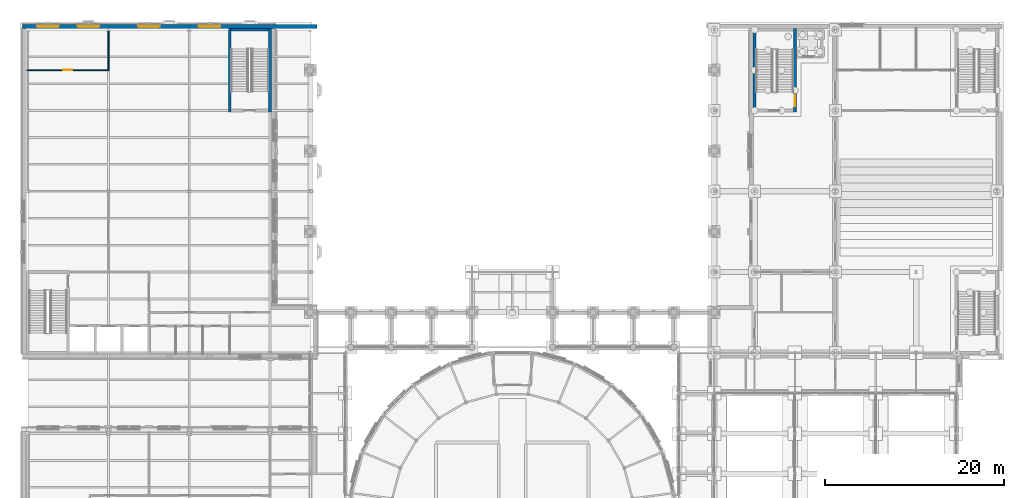
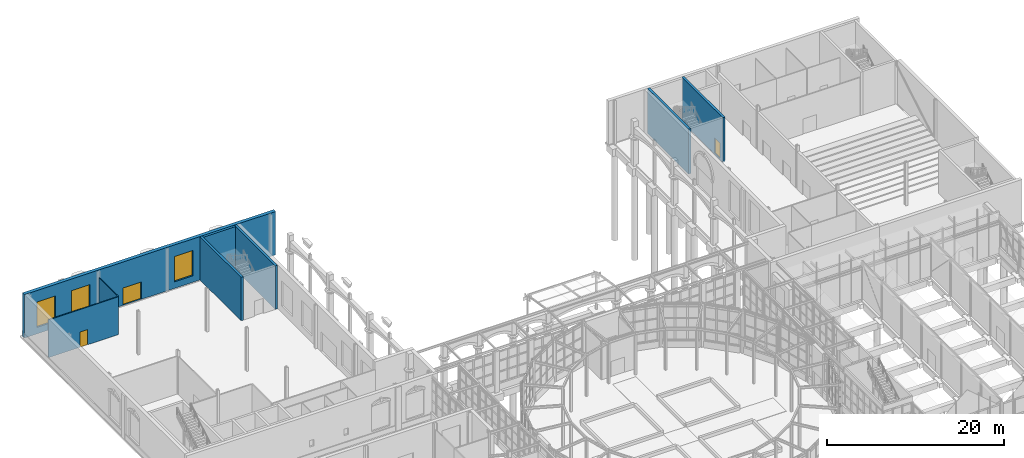
# One storey, part 75 of 106: 8 walls, 3 doors, 3 windows, 6 openings.
"""IFC4 building model written with IfcOpenShell, lengths in metres."""

from ifc_helpers import new_model, si_unit, direction, frame, frame_2d, origin, place, context, subcontext, project, spatial, rectangle, extrude, material, layer, layer_set, type_object, element, fill, save


model = new_model("IFC4")

# Units and contexts
model_context = context("Model", 3, precision=1e-05, world=origin(), true_north=direction((0.0, 1.0)))
body_context = subcontext(model_context, "Body", "Model", "MODEL_VIEW")
ifc_project = project(units=[si_unit("LENGTHUNIT", "METRE"), si_unit("AREAUNIT", "SQUARE_METRE"), si_unit("VOLUMEUNIT", "CUBIC_METRE"), si_unit("PLANEANGLEUNIT", "RADIAN"), si_unit("MASSUNIT", "GRAM", prefix="KILO")], contexts=[model_context])

# Site, building, storey
site_placement = place(None, origin())
site = spatial("IfcSite", under=ifc_project, at=site_placement, CompositionType="ELEMENT")
building_placement = place(site_placement, origin())
building = spatial("IfcBuilding", under=site, at=building_placement, Name="Hortulan Conservatory and Botanical Research Centre", CompositionType="ELEMENT")
storey_placement = place(building_placement, origin())
storey = spatial("IfcBuildingStorey", under=building, at=storey_placement, Name="L00", CompositionType="ELEMENT", Elevation=0.0)

# Wall
ifc_material_1 = material(Name="Concrete N40 (40 MPa, AS 3600)", Category="concrete")
ifc_layer_1 = layer(ifc_material_1, 0.300048828125)
ifc_layer_set_1 = layer_set([ifc_layer_1], Name="Core Wall 300 N40 FRL 120/120/120")
wall_type_1 = type_object("IfcWallType", Name="Core Wall 300 N40 FRL 120/120/120", PredefinedType="SHEAR", material=ifc_layer_set_1)
wall_1_placement = place(storey_placement, frame((81.0, 62.85009765625, -0.199951171875), z_axis=(0.0, 0.0, 1.0), x_axis=(0.0, 1.0, 0.0)))
element("IfcWall", 1, at=wall_1_placement, inside=storey, type_object=wall_type_1, Name="Reinforced concrete shaft wall", PredefinedType="SHEAR", context=body_context, shape_type="SweptSolid", body=[
    extrude(rectangle(XDim=9.2998046875, YDim=0.300048828125, at=frame_2d((4.64990234375, 0.0))), origin(), (0.0, 0.0, 1.0), 6.199951171875),
])

# Wall, opening, door
wall_2_placement = place(storey_placement, frame((85.5, 62.85009765625, -0.199951171875), z_axis=(0.0, 0.0, 1.0), x_axis=(0.0, 1.0, 0.0)))
wall_2 = element("IfcWall", 2, at=wall_2_placement, inside=storey, type_object=wall_type_1, Name="Reinforced concrete shaft wall", PredefinedType="SHEAR", context=body_context, shape_type="SweptSolid", body=[
    extrude(rectangle(XDim=9.2998046875, YDim=0.300048828125, at=frame_2d((4.64990234375, 0.0))), origin(), (0.0, 0.0, 1.0), 6.199951171875),
])
opening_1_placement = place(wall_2_placement, frame((0.64990234375, 0.0, 0.199951171875)))
opening_1 = element("IfcOpeningElement", 3, at=opening_1_placement, cuts=wall_2, Name="Opening DT5", PredefinedType="OPENING", context=body_context, shape_type="SweptSolid", body=[
    extrude(rectangle(XDim=1.199951171875, YDim=2.10009765625, at=frame_2d((0.60009765625, 1.050048828125))), frame((0.0, 0.159912109375, 0.0), z_axis=(0.0, -1.0, 0.0), x_axis=(1.0, 0.0, 0.0)), (0.0, 0.0, 1.0), 0.320068359375),
])
ifc_material_2 = material(Name="Steel door leaf, insulated", Category="steel")
door_type_1 = type_object("IfcDoorType", Name="Stair Door 1200x2100 FRL -/120/30", OperationType="NOTDEFINED", PredefinedType="DOOR", material=ifc_material_2)
door_1_placement = place(opening_1_placement, origin())
door_1 = element("IfcDoor", 4, at=door_1_placement, inside=storey, type_object=door_type_1, Name="Stair door A1 L00 E to Foyer Stair Lobby", OperationType="SINGLE_SWING_LEFT", OverallHeight=2.10009765625, OverallWidth=1.199951171875, PredefinedType="DOOR", context=body_context, shape_type="SweptSolid", body=[
    extrude(rectangle(XDim=1.199951171875, YDim=2.10009765625, at=frame_2d((0.60009765625, 1.050048828125))), frame((0.0, 0.02490234375, 0.0), z_axis=(0.0, -1.0, 0.0), x_axis=(1.0, 0.0, 0.0)), (0.0, 0.0, 1.0), 0.050048828125),
])
fill(opening_1, door_1)

# Walls
ifc_layer_2 = layer(ifc_material_1, 0.300048828125)
ifc_layer_set_2 = layer_set([ifc_layer_2], Name="Core Wall 300 N40 FRL 180/120/120")
wall_type_2 = type_object("IfcWallType", Name="Core Wall 300 N40 FRL 180/120/120", PredefinedType="SHEAR", material=ifc_layer_set_2)
for number, where, z_axis, x_axis, name in (
    (5, (22.5, 62.85009765625, 0.0), (0.0, 0.0, 1.0), (0.0, 1.0, 0.0), "Reinforced concrete shaft wall"),
    (6, (27.0, 62.85009765625, 0.0), (0.0, 0.0, 1.0), (0.0, 1.0, 0.0), "Reinforced concrete shaft wall"),
):
    element("IfcWall", number, at=place(storey_placement, frame(where, z_axis=z_axis, x_axis=x_axis)), inside=storey, type_object=wall_type_2, Name=name, PredefinedType="SHEAR", context=body_context, shape_type="SweptSolid", body=[
        extrude(rectangle(XDim=9.2998046875, YDim=0.300048828125, at=frame_2d((4.64990234375, 0.0))), origin(), (0.0, 0.0, 1.0), 6.0),
    ])
wall_3_placement = place(storey_placement, frame((22.64990234375, 72.0, 0.0), z_axis=(0.0, 0.0, 1.0), x_axis=(1.0, 0.0, 0.0)))
element("IfcWall", 7, at=wall_3_placement, inside=storey, type_object=wall_type_2, Name="Reinforced concrete shaft wall", PredefinedType="SHEAR", context=body_context, shape_type="SweptSolid", body=[
    extrude(rectangle(XDim=4.2001953125, YDim=0.300048828125, at=frame_2d((2.10009765625, 0.0))), origin(), (0.0, 0.0, 1.0), 6.0),
])
ifc_material_3 = material(Name="Plasterboard on steel studs", Category="steel")
ifc_layer_3 = layer(ifc_material_3, 0.125)
ifc_layer_set_3 = layer_set([ifc_layer_3], Name="Partition 125")
wall_type_3 = type_object("IfcWallType", Name="Partition 125", PredefinedType="PARTITIONING", material=ifc_layer_set_3)
wall_4_placement = place(storey_placement, frame((9.0, 67.572509765625, 0.0), z_axis=(0.0, 0.0, 1.0), x_axis=(0.0, 1.0, 0.0)))
element("IfcWall", 8, at=wall_4_placement, inside=storey, type_object=wall_type_3, Name="Partition Cafe Kitchen and Servery and Visitor Centre Entrance Hall and Information L00", PredefinedType="PARTITIONING", context=body_context, shape_type="SweptSolid", body=[
    extrude(rectangle(XDim=4.257080078125, YDim=0.125, at=frame_2d((2.12841796875, 0.0))), origin(), (0.0, 0.0, 1.0), 5.218017578125),
])

# Wall, opening, door
wall_5_placement = place(storey_placement, frame((-0.14453125, 67.5, 0.0), z_axis=(0.0, 0.0, 1.0), x_axis=(1.0, 0.0, 0.0)))
wall_5 = element("IfcWall", 9, at=wall_5_placement, inside=storey, type_object=wall_type_3, Name="Partition Visitor Cafe and Cafe Kitchen and Servery L00", PredefinedType="PARTITIONING", context=body_context, shape_type="SweptSolid", body=[
    extrude(rectangle(XDim=9.14453125, YDim=0.125, at=frame_2d((4.572265625, 0.0))), origin(), (0.0, 0.0, 1.0), 5.218017578125),
])
opening_2_placement = place(wall_5_placement, frame((4.082275390625, 0.0, 0.0)))
opening_2 = element("IfcOpeningElement", 10, at=opening_2_placement, cuts=wall_5, Name="Opening DT1", PredefinedType="OPENING", context=body_context, shape_type="SweptSolid", body=[
    extrude(rectangle(XDim=1.0, YDim=2.10009765625, at=frame_2d((0.5, 1.050048828125))), frame((0.0, 0.072509765625, 0.0), z_axis=(0.0, -1.0, 0.0), x_axis=(1.0, 0.0, 0.0)), (0.0, 0.0, 1.0), 0.14501953125),
])
ifc_material_4 = material(Name="Timber door leaf in timber frame", Category="wood")
door_type_2 = type_object("IfcDoorType", Name="Single Door 1000x2100", OperationType="NOTDEFINED", PredefinedType="DOOR", material=ifc_material_4)
door_2_placement = place(opening_2_placement, origin())
door_2 = element("IfcDoor", 11, at=door_2_placement, inside=storey, type_object=door_type_2, Name="Door DT1 Cafe Kitchen and Servery to Visitor Cafe", OperationType="SINGLE_SWING_LEFT", OverallHeight=2.10009765625, OverallWidth=1.0, PredefinedType="DOOR", context=body_context, shape_type="SweptSolid", body=[
    extrude(rectangle(XDim=1.0, YDim=2.10009765625, at=frame_2d((0.5, 1.050048828125))), frame((0.0, 0.02490234375, 0.0), z_axis=(0.0, -1.0, 0.0), x_axis=(1.0, 0.0, 0.0)), (0.0, 0.0, 1.0), 0.050048828125),
])
fill(opening_2, door_2)

# Wall, openings, door, windows
ifc_material_5 = material(Name="Sandstone masonry (Hawkesbury yellow block)", Category="masonry")
ifc_layer_4 = layer(ifc_material_5, 0.449951171875)
ifc_layer_set_4 = layer_set([ifc_layer_4], Name="Sandstone Masonry Cavity Wall 450")
wall_type_4 = type_object("IfcWallType", Name="Sandstone Masonry Cavity Wall 450", PredefinedType="STANDARD", material=ifc_layer_set_4)
wall_6_placement = place(storey_placement, frame((-0.6044921875, 72.385498046875, 0.0), z_axis=(0.0, 0.0, 1.0), x_axis=(1.0, 0.0, 0.0)))
wall_6 = element("IfcWall", 12, at=wall_6_placement, inside=storey, type_object=wall_type_4, Name="E-EW-VC-L00-N3", PredefinedType="STANDARD", context=body_context, shape_type="SweptSolid", body=[
    extrude(rectangle(XDim=32.8544921875, YDim=0.449951171875, at=frame_2d((16.42724609375, 0.0))), origin(), (0.0, 0.0, 1.0), 6.0),
])
opening_3_placement = place(wall_6_placement, frame((12.904541015625, 0.0, 0.011962890625)))
opening_3 = element("IfcOpeningElement", 13, at=opening_3_placement, cuts=wall_6, Name="Opening ED3", PredefinedType="OPENING", context=body_context, shape_type="SweptSolid", body=[
    extrude(rectangle(XDim=2.39990234375, YDim=2.39990234375, at=frame_2d((1.199951171875, 1.199951171875))), frame((0.0, 0.23486328125, 0.0), z_axis=(0.0, -1.0, 0.0), x_axis=(1.0, 0.0, 0.0)), (0.0, 0.0, 1.0), 0.469970703125),
])
opening_4_placement = place(wall_6_placement, frame((1.654541015625, 0.0, 0.89990234375)))
opening_4 = element("IfcOpeningElement", 14, at=opening_4_placement, cuts=wall_6, Name="Opening W1", PredefinedType="OPENING", context=body_context, shape_type="SweptSolid", body=[
    extrude(rectangle(XDim=2.39990234375, YDim=3.5, at=frame_2d((1.199951171875, 1.75))), frame((0.0, 0.23486328125, 0.0), z_axis=(0.0, -1.0, 0.0), x_axis=(1.0, 0.0, 0.0)), (0.0, 0.0, 1.0), 0.469970703125),
])
opening_5_placement = place(wall_6_placement, frame((6.154541015625, 0.0, 0.89990234375)))
opening_5 = element("IfcOpeningElement", 15, at=opening_5_placement, cuts=wall_6, Name="Opening W1", PredefinedType="OPENING", context=body_context, shape_type="SweptSolid", body=[
    extrude(rectangle(XDim=2.39990234375, YDim=3.5, at=frame_2d((1.199951171875, 1.75))), frame((0.0, 0.23486328125, 0.0), z_axis=(0.0, -1.0, 0.0), x_axis=(1.0, 0.0, 0.0)), (0.0, 0.0, 1.0), 0.469970703125),
])
opening_6_placement = place(wall_6_placement, frame((19.654541015625, 0.0, 0.89990234375)))
opening_6 = element("IfcOpeningElement", 16, at=opening_6_placement, cuts=wall_6, Name="Opening W1", PredefinedType="OPENING", context=body_context, shape_type="SweptSolid", body=[
    extrude(rectangle(XDim=2.39990234375, YDim=3.5, at=frame_2d((1.199951171875, 1.75))), frame((0.0, 0.23486328125, 0.0), z_axis=(0.0, -1.0, 0.0), x_axis=(1.0, 0.0, 0.0)), (0.0, 0.0, 1.0), 0.469970703125),
])
ifc_material_6 = material(Name="Bronze and toughened laminated glass", Category="glass")
door_type_3 = type_object("IfcDoorType", Name="Glazed Door Pair 2400x2400", OperationType="DOUBLE_DOOR_DOUBLE_SWING", PredefinedType="DOOR", material=ifc_material_6)
door_3_placement = place(opening_3_placement, origin())
door_3 = element("IfcDoor", 17, at=door_3_placement, inside=storey, type_object=door_type_3, Name="Entrance door", OperationType="DOUBLE_DOOR_DOUBLE_SWING", OverallHeight=2.39990234375, OverallWidth=2.39990234375, PredefinedType="DOOR", context=body_context, shape_type="SweptSolid", body=[
    extrude(rectangle(XDim=2.39990234375, YDim=2.39990234375, at=frame_2d((1.199951171875, 1.199951171875))), frame((0.0, 0.02490234375, 0.0), z_axis=(0.0, -1.0, 0.0), x_axis=(1.0, 0.0, 0.0)), (0.0, 0.0, 1.0), 0.050048828125),
])
fill(opening_3, door_3)
ifc_material_7 = material(Name="Bronze-finished aluminium frame with low-e laminated double glazing", Category="aluminium")
window_type = type_object("IfcWindowType", Name="Sandstone Window 2400x3500", PartitioningType="SINGLE_PANEL", PredefinedType="WINDOW", material=ifc_material_7)
window_1_placement = place(opening_4_placement, origin())
window_1 = element("IfcWindow", 18, at=window_1_placement, inside=storey, type_object=window_type, Name="Sandstone window", OverallHeight=3.5, OverallWidth=2.39990234375, PartitioningType="SINGLE_PANEL", PredefinedType="WINDOW", context=body_context, shape_type="SweptSolid", body=[
    extrude(rectangle(XDim=2.39990234375, YDim=3.5, at=frame_2d((1.199951171875, 1.75))), frame((0.0, 0.030029296875, 0.0), z_axis=(0.0, -1.0, 0.0), x_axis=(1.0, 0.0, 0.0)), (0.0, 0.0, 1.0), 0.06005859375),
])
fill(opening_4, window_1)
window_2_placement = place(opening_5_placement, origin())
window_2 = element("IfcWindow", 19, at=window_2_placement, inside=storey, type_object=window_type, Name="Sandstone window", OverallHeight=3.5, OverallWidth=2.39990234375, PartitioningType="SINGLE_PANEL", PredefinedType="WINDOW", context=body_context, shape_type="SweptSolid", body=[
    extrude(rectangle(XDim=2.39990234375, YDim=3.5, at=frame_2d((1.199951171875, 1.75))), frame((0.0, 0.030029296875, 0.0), z_axis=(0.0, -1.0, 0.0), x_axis=(1.0, 0.0, 0.0)), (0.0, 0.0, 1.0), 0.06005859375),
])
fill(opening_5, window_2)
window_3_placement = place(opening_6_placement, origin())
window_3 = element("IfcWindow", 20, at=window_3_placement, inside=storey, type_object=window_type, Name="Sandstone window", OverallHeight=3.5, OverallWidth=2.39990234375, PartitioningType="SINGLE_PANEL", PredefinedType="WINDOW", context=body_context, shape_type="SweptSolid", body=[
    extrude(rectangle(XDim=2.39990234375, YDim=3.5, at=frame_2d((1.199951171875, 1.75))), frame((0.0, 0.030029296875, 0.0), z_axis=(0.0, -1.0, 0.0), x_axis=(1.0, 0.0, 0.0)), (0.0, 0.0, 1.0), 0.06005859375),
])
fill(opening_6, window_3)

save(model, "model.ifc")
